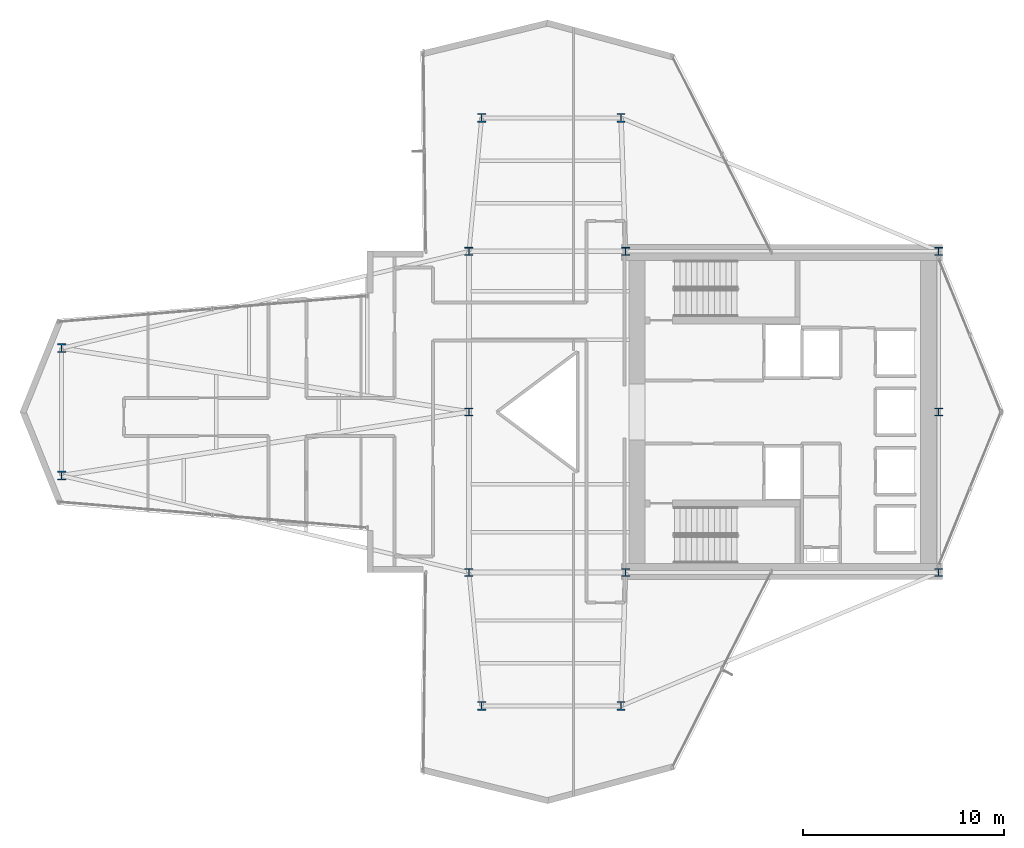
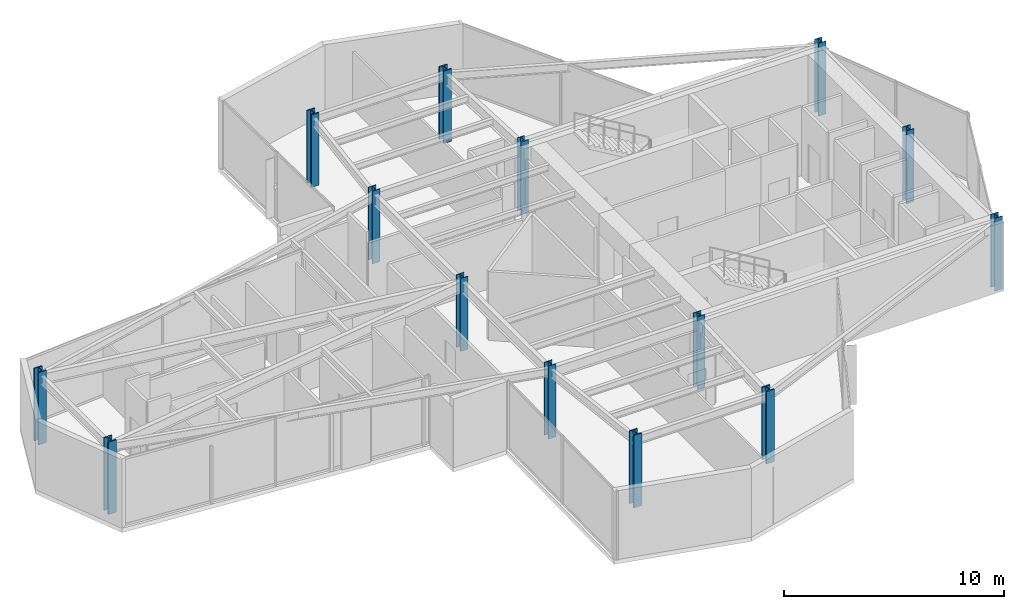
# One storey, part 1 of 25: 14 columns.
"""IFC4 building model written with IfcOpenShell, lengths in metres."""

from ifc_helpers import new_model, si_unit, direction, frame, origin, origin_2d, place, context, subcontext, project, spatial, i_section, extrude, material, material_profile, profile_set, type_object, element, save


model = new_model("IFC4")

# Units and contexts
model_context = context("Model", 3, precision=1e-05, world=origin(), true_north=direction((0.0, 1.0)))
body_context = subcontext(model_context, "Body", "Model", "MODEL_VIEW")
ifc_project = project(units=[si_unit("LENGTHUNIT", "METRE"), si_unit("AREAUNIT", "SQUARE_METRE"), si_unit("VOLUMEUNIT", "CUBIC_METRE"), si_unit("PLANEANGLEUNIT", "RADIAN"), si_unit("MASSUNIT", "GRAM", prefix="KILO")], contexts=[model_context])

# Site, building, storey
site_placement = place(None, origin())
site = spatial("IfcSite", under=ifc_project, at=site_placement, CompositionType="ELEMENT")
building_placement = place(site_placement, origin())
building = spatial("IfcBuilding", under=site, at=building_placement, Name="Veymaron Broadcast Tower", CompositionType="ELEMENT")
storey_placement = place(building_placement, frame((0.0, 0.0, 129.0)))
storey = spatial("IfcBuildingStorey", under=building, at=storey_placement, Name="L29", CompositionType="ELEMENT", Elevation=129.0)

# Columns
ifc_material_1 = material(Name="Structural steel ASTM A992 Gr 50", Category="steel")
ifc_material_profile_1 = material_profile(ifc_material_1, i_section(OverallWidth=0.39794921875, OverallDepth=0.386962890625, WebThickness=0.02099609375, FlangeThickness=0.033203125, at=origin_2d()), Name="W360X262")
ifc_profile_set_1 = profile_set([ifc_material_profile_1], Name="Structural steel ASTM A992 Gr 50")
column_type_1 = type_object("IfcColumnType", Name="COL-HC2", PredefinedType="COLUMN", material=ifc_profile_set_1)
for number, where, z_axis, x_axis, name in (
    (1, (31.199951171875, 16.0, 0.0), (0.0, 0.0, 1.0), (1.0, 0.0, 0.0), "L29 structural hub and core column"),
    (2, (31.199951171875, 24.0, 0.0), (0.0, 0.0, 1.0), (1.0, 0.0, 0.0), "L29 structural hub and core column"),
    (3, (31.199951171875, 32.0, 0.0), (0.0, 0.0, 1.0), (1.0, 0.0, 0.0), "L29 structural hub and core column"),
    (4, (39.0, 16.0, 0.0), (0.0, 0.0, 1.0), (1.0, 0.0, 0.0), "L29 structural hub and core column"),
    (5, (39.0, 32.0, 0.0), (0.0, 0.0, 1.0), (1.0, 0.0, 0.0), "L29 structural hub and core column"),
    (6, (54.60009765625, 16.0, 0.0), (0.0, 0.0, 1.0), (1.0, 0.0, 0.0), "L29 structural hub and core column"),
    (7, (54.60009765625, 24.0, 0.0), (0.0, 0.0, 1.0), (1.0, 0.0, 0.0), "L29 structural hub and core column"),
    (8, (54.60009765625, 32.0, 0.0), (0.0, 0.0, 1.0), (1.0, 0.0, 0.0), "L29 structural hub and core column"),
):
    element("IfcColumn", number, at=place(storey_placement, frame(where, z_axis=z_axis, x_axis=x_axis)), inside=storey, type_object=column_type_1, Name=name, PredefinedType="COLUMN", context=body_context, shape_type="SweptSolid", body=[
        extrude(i_section(OverallWidth=0.39794921875, OverallDepth=0.386962890625, WebThickness=0.02099609375, FlangeThickness=0.033203125, at=origin_2d()), origin(), (0.0, 0.0, 1.0), 4.0439453125),
    ])
ifc_material_2 = material(Name="Structural steel ASTM A913 Gr 65", Category="steel")
ifc_material_profile_2 = material_profile(ifc_material_2, i_section(OverallWidth=0.41796875, OverallDepth=0.455078125, WebThickness=0.0419921875, FlangeThickness=0.067626953125, at=origin_2d()), Name="W360X551")
ifc_profile_set_2 = profile_set([ifc_material_profile_2], Name="Structural steel ASTM A913 Gr 65")
column_type_2 = type_object("IfcColumnType", Name="COL-MC2", PredefinedType="COLUMN", material=ifc_profile_set_2)
for number, where, z_axis, x_axis, name in (
    (9, (10.905029296875, 20.824951171875, 0.01611328125), (0.0, 0.0, 1.0), (1.0, 0.0, 0.0), "L29 Tapered Wing Mega Column"),
    (10, (10.905029296875, 27.175048828125, 0.01611328125), (0.0, 0.0, 1.0), (1.0, 0.0, 0.0), "L29 Tapered Wing Mega Column"),
    (11, (31.830078125, 38.64990234375, 0.01611328125), (0.0, 0.0, 1.0), (1.0, 0.0, 0.0), "L29 Tapered Wing Mega Column"),
    (12, (38.77490234375, 38.64990234375, 0.01611328125), (0.0, 0.0, 1.0), (1.0, 0.0, 0.0), "L29 Tapered Wing Mega Column"),
    (13, (31.830078125, 9.35009765625, 0.01611328125), (0.0, 0.0, 1.0), (1.0, 0.0, 0.0), "L29 Tapered Wing Mega Column"),
    (14, (38.77490234375, 9.35009765625, 0.01611328125), (0.0, 0.0, 1.0), (1.0, 0.0, 0.0), "L29 Tapered Wing Mega Column"),
):
    element("IfcColumn", number, at=place(storey_placement, frame(where, z_axis=z_axis, x_axis=x_axis)), inside=storey, type_object=column_type_2, Name=name, PredefinedType="COLUMN", context=body_context, shape_type="SweptSolid", body=[
        extrude(i_section(OverallWidth=0.41796875, OverallDepth=0.455078125, WebThickness=0.0419921875, FlangeThickness=0.067626953125, at=origin_2d()), origin(), (0.0, 0.0, 1.0), 4.017822265625),
    ])

save(model, "model.ifc")
